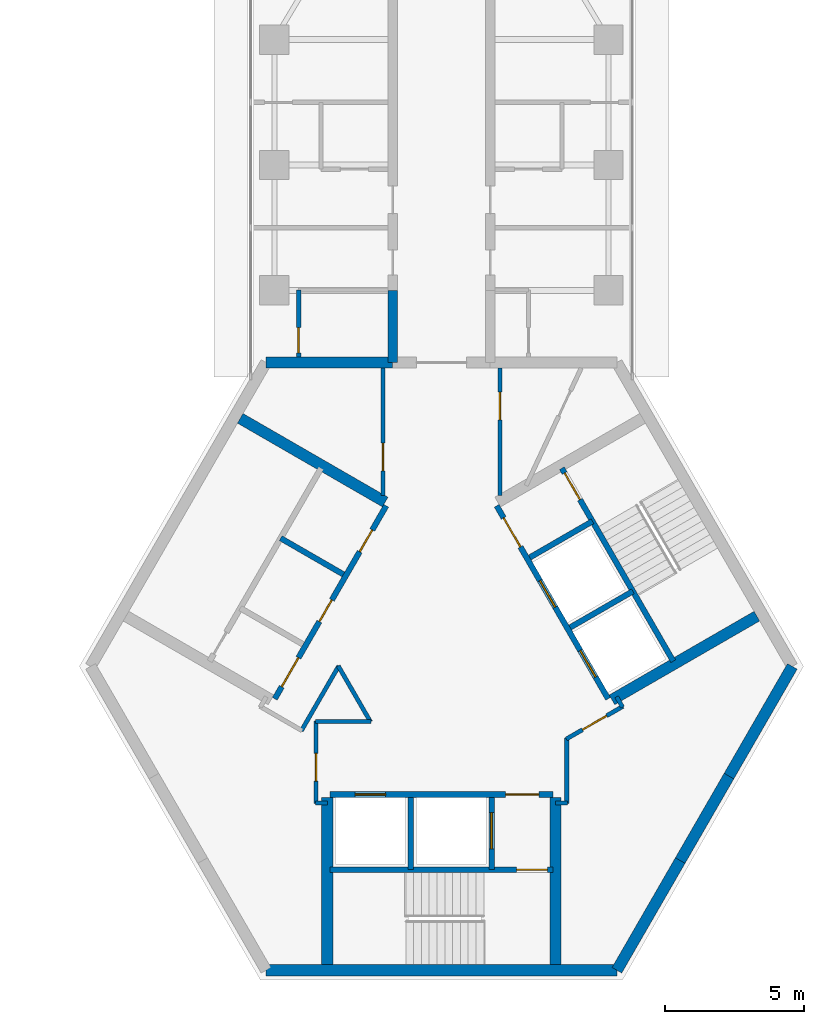
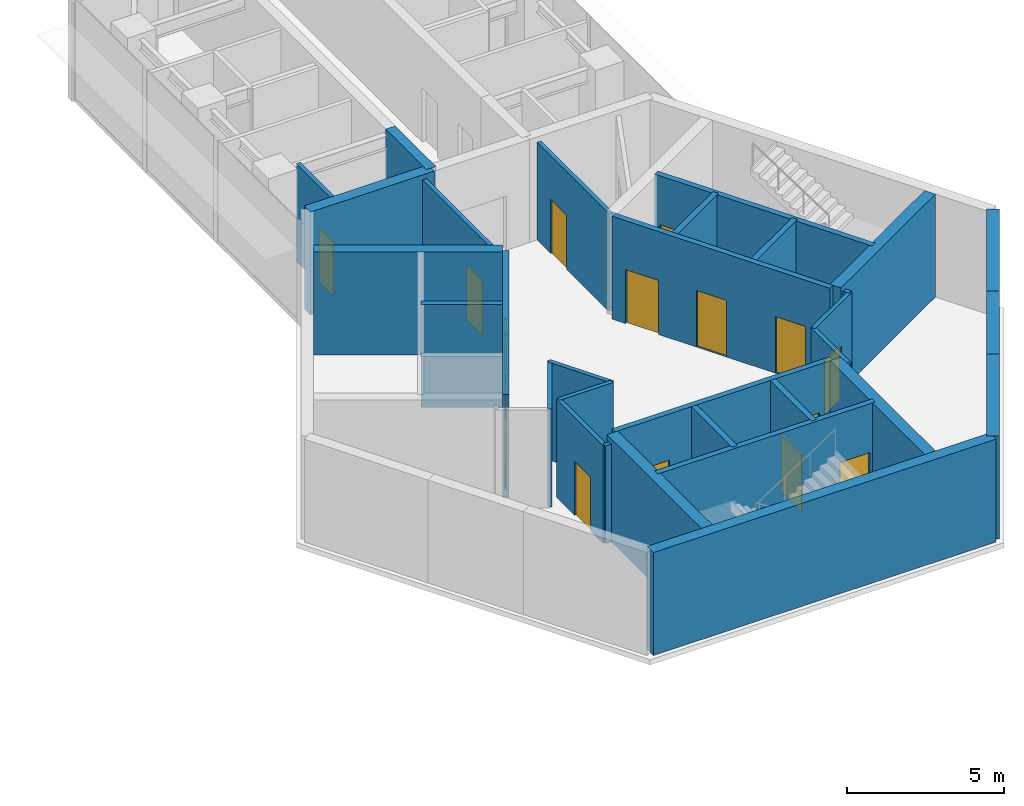
# One storey, part 8 of 11: 32 walls, 16 doors, 16 openings.
"""IFC4 building model written with IfcOpenShell, lengths in metres."""

from ifc_helpers import new_model, si_unit, direction, frame, frame_2d, origin, place, context, subcontext, project, spatial, rectangle, extrude, material, layer, layer_set, type_object, element, fill, save


model = new_model("IFC4")

# Units and contexts
model_context = context("Model", 3, precision=1e-05, world=origin(), true_north=direction((0.0, 1.0)))
body_context = subcontext(model_context, "Body", "Model", "MODEL_VIEW")
ifc_project = project(units=[si_unit("LENGTHUNIT", "METRE"), si_unit("AREAUNIT", "SQUARE_METRE"), si_unit("VOLUMEUNIT", "CUBIC_METRE"), si_unit("PLANEANGLEUNIT", "RADIAN"), si_unit("MASSUNIT", "GRAM", prefix="KILO")], contexts=[model_context])

# Site, building, storey
site_placement = place(None, origin())
site = spatial("IfcSite", under=ifc_project, at=site_placement, CompositionType="ELEMENT")
building_placement = place(site_placement, origin())
building = spatial("IfcBuilding", under=site, at=building_placement, Name="Upepo Twin Towers", CompositionType="ELEMENT")
storey_placement = place(building_placement, frame((0.0, 0.0, 263.5)))
storey = spatial("IfcBuildingStorey", under=building, at=storey_placement, Name="L64", CompositionType="ELEMENT", Elevation=263.5)

# Walls
ifc_material_1 = material(Name="Concrete C60/75", Category="concrete")
ifc_layer_1 = layer(ifc_material_1, 0.35009765625)
ifc_layer_set_1 = layer_set([ifc_layer_1], Name="Concrete C60/75")
wall_type_1 = type_object("IfcWallType", Name="Buttress wall 350 RC", PredefinedType="SHEAR", material=ifc_layer_set_1)
wall_1_placement = place(storey_placement, frame((56.75, -7.091552734375, 0.0), z_axis=(0.0, 0.0, 1.0), x_axis=(0.0, 1.0, 0.0)))
element("IfcWall", 1, at=wall_1_placement, inside=storey, type_object=wall_type_1, Name="T2 wing A buttress wall L", PredefinedType="SHEAR", context=body_context, shape_type="SweptSolid", body=[
    extrude(rectangle(XDim=2.591552734375, YDim=0.35009765625, at=frame_2d((1.2958984375, 0.0))), origin(), (0.0, 0.0, 1.0), 4.0),
])
ifc_material_2 = material(Name="Concrete C60/75", Category="concrete")
ifc_layer_2 = layer(ifc_material_2, 0.39990234375)
ifc_layer_set_2 = layer_set([ifc_layer_2], Name="Concrete C60/75")
wall_type_2 = type_object("IfcWallType", Name="Core wall 400 RC", PredefinedType="SHEAR", material=ifc_layer_set_2)
wall_2_placement = place(storey_placement, frame((56.75, -7.091552734375, 0.0), z_axis=(0.0, 0.0, 1.0), x_axis=(-1.0, 0.0, 0.0)))
element("IfcWall", 2, at=wall_2_placement, inside=storey, type_object=wall_type_2, Name="T2 core wall 000 L", PredefinedType="SHEAR", context=body_context, shape_type="SweptSolid", body=[
    extrude(rectangle(XDim=4.5478515625, YDim=0.39990234375, at=frame_2d((2.27392578125, 0.0))), origin(), (0.0, 0.0, 1.0), 4.0),
])
wall_3_placement = place(storey_placement, frame((52.2021484375, -28.908447265625, 0.0), z_axis=(0.0, 0.0, 1.0), x_axis=(1.0, 0.0, 0.0)))
element("IfcWall", 3, at=wall_3_placement, inside=storey, type_object=wall_type_2, Name="T2 core wall 180", PredefinedType="SHEAR", context=body_context, shape_type="SweptSolid", body=[
    extrude(rectangle(XDim=12.595703125, YDim=0.39990234375, at=frame_2d((6.2978515625, 0.0))), origin(), (0.0, 0.0, 1.0), 4.0),
])
wall_4_placement = place(storey_placement, frame((64.7978515625, -28.908447265625, 0.0), z_axis=(0.0, 0.0, 1.0), x_axis=(0.499984222037, 0.866034513004, 0.0)))
element("IfcWall", 4, at=wall_4_placement, inside=storey, type_object=wall_type_2, Name="T2 core wall 240 R", PredefinedType="SHEAR", context=body_context, shape_type="SweptSolid", body=[
    extrude(rectangle(XDim=4.548095703125, YDim=0.39990234375, at=frame_2d((2.27392578125, 0.0))), origin(), (0.0, 0.0, 1.0), 4.0),
])
wall_5_placement = place(storey_placement, frame((67.07177734375, -24.9697265625, 0.0), z_axis=(0.0, 0.0, 1.0), x_axis=(0.500010275428, 0.866019471182, 0.0)))
element("IfcWall", 5, at=wall_5_placement, inside=storey, type_object=wall_type_2, Name="T2 core wall 240", PredefinedType="SHEAR", context=body_context, shape_type="SweptSolid", body=[
    extrude(rectangle(XDim=3.5, YDim=0.39990234375, at=frame_2d((1.75, 0.0))), origin(), (0.0, 0.0, 1.0), 4.0),
])
wall_6_placement = place(storey_placement, frame((68.82177734375, -21.938720703125, 0.0), z_axis=(0.0, 0.0, 1.0), x_axis=(0.500024481964, 0.866011268655, 0.0)))
element("IfcWall", 6, at=wall_6_placement, inside=storey, type_object=wall_type_2, Name="T2 core wall 240 L", PredefinedType="SHEAR", context=body_context, shape_type="SweptSolid", body=[
    extrude(rectangle(XDim=4.548095703125, YDim=0.39990234375, at=frame_2d((2.27392578125, 0.0))), origin(), (0.0, 0.0, 1.0), 4.0),
])

# Wall, openings, doors
ifc_material_3 = material(Name="Concrete C40/50", Category="concrete")
ifc_layer_3 = layer(ifc_material_3, 0.199951171875)
ifc_layer_set_3 = layer_set([ifc_layer_3], Name="Concrete C40/50")
wall_type_3 = type_object("IfcWallType", Name="Shaft wall 200 RC", PredefinedType="SHEAR", material=ifc_layer_set_3)
wall_7_placement = place(storey_placement, frame((56.516357421875, -12.23583984375, 0.0), z_axis=(0.0, 0.0, 1.0), x_axis=(-0.49999894854, -0.866026010844, 0.0)))
wall_7 = element("IfcWall", 7, at=wall_7_placement, inside=storey, type_object=wall_type_3, Name="T2 core W60 front wall", PredefinedType="SHEAR", context=body_context, shape_type="SweptSolid", body=[
    extrude(rectangle(XDim=8.0, YDim=0.199951171875, at=frame_2d((4.0, 0.0))), origin(), (0.0, 0.0, 1.0), 4.0),
])
opening_1_placement = place(wall_7_placement, frame((6.300048828125, 0.0, 0.0)))
opening_1 = element("IfcOpeningElement", 8, at=opening_1_placement, cuts=wall_7, Name="Opening D4", PredefinedType="OPENING", context=body_context, shape_type="SweptSolid", body=[
    extrude(rectangle(XDim=1.199951171875, YDim=2.10009765625, at=frame_2d((0.60009765625, 1.050048828125))), frame((0.0, 0.10986328125, 0.0), z_axis=(0.0, -1.0, 0.0), x_axis=(1.0, 0.0, 0.0)), (0.0, 0.0, 1.0), 0.219970703125),
])
opening_2_placement = place(wall_7_placement, frame((1.0, 0.0, 0.0)))
opening_2 = element("IfcOpeningElement", 9, at=opening_2_placement, cuts=wall_7, Name="Opening D9", PredefinedType="OPENING", context=body_context, shape_type="SweptSolid", body=[
    extrude(rectangle(XDim=0.89990234375, YDim=2.10009765625, at=frame_2d((0.449951171875, 1.050048828125))), frame((0.0, 0.10986328125, 0.0), z_axis=(0.0, -1.0, 0.0), x_axis=(1.0, 0.0, 0.0)), (0.0, 0.0, 1.0), 0.219970703125),
])
opening_3_placement = place(wall_7_placement, frame((3.89990234375, 0.0, 0.0)))
opening_3 = element("IfcOpeningElement", 10, at=opening_3_placement, cuts=wall_7, Name="Opening D9", PredefinedType="OPENING", context=body_context, shape_type="SweptSolid", body=[
    extrude(rectangle(XDim=0.89990234375, YDim=2.10009765625, at=frame_2d((0.449951171875, 1.050048828125))), frame((0.0, 0.10986328125, 0.0), z_axis=(0.0, -1.0, 0.0), x_axis=(1.0, 0.0, 0.0)), (0.0, 0.0, 1.0), 0.219970703125),
])
ifc_material_4 = material(Name="Timber doorset", Category="wood")
door_type_1 = type_object("IfcDoorType", Name="Lobby door 1200 FD60", OperationType="SINGLE_SWING_LEFT", PredefinedType="DOOR", material=ifc_material_4)
door_1_placement = place(opening_1_placement, origin())
door_1 = element("IfcDoor", 11, at=door_1_placement, inside=storey, type_object=door_type_1, Name="T2 L64 W60 lobby door", OperationType="SINGLE_SWING_RIGHT", OverallHeight=2.10009765625, OverallWidth=1.199951171875, PredefinedType="DOOR", context=body_context, shape_type="SweptSolid", body=[
    extrude(rectangle(XDim=1.199951171875, YDim=2.10009765625, at=frame_2d((0.60009765625, 1.050048828125))), frame((0.0, 0.02490234375, 0.0), z_axis=(0.0, -1.0, 0.0), x_axis=(1.0, 0.0, 0.0)), (0.0, 0.0, 1.0), 0.050048828125),
])
fill(opening_1, door_1)
ifc_material_5 = material(Name="Timber doorset", Category="wood")
door_type_2 = type_object("IfcDoorType", Name="Riser door 900 FD60", OperationType="SINGLE_SWING_LEFT", PredefinedType="DOOR", material=ifc_material_5)
door_2_placement = place(opening_2_placement, origin())
door_2 = element("IfcDoor", 12, at=door_2_placement, inside=storey, type_object=door_type_2, Name="T2 L64 it and communications room door", OperationType="SINGLE_SWING_LEFT", OverallHeight=2.10009765625, OverallWidth=0.89990234375, PredefinedType="DOOR", context=body_context, shape_type="SweptSolid", body=[
    extrude(rectangle(XDim=0.89990234375, YDim=2.10009765625, at=frame_2d((0.449951171875, 1.050048828125))), frame((0.0, 0.02490234375, 0.0), z_axis=(0.0, -1.0, 0.0), x_axis=(1.0, 0.0, 0.0)), (0.0, 0.0, 1.0), 0.050048828125),
])
fill(opening_2, door_2)
door_3_placement = place(opening_3_placement, origin())
door_3 = element("IfcDoor", 13, at=door_3_placement, inside=storey, type_object=door_type_2, Name="T2 L64 furniture store door", OperationType="SINGLE_SWING_RIGHT", OverallHeight=2.10009765625, OverallWidth=0.89990234375, PredefinedType="DOOR", context=body_context, shape_type="SweptSolid", body=[
    extrude(rectangle(XDim=0.89990234375, YDim=2.10009765625, at=frame_2d((0.449951171875, 1.050048828125))), frame((0.0, 0.02490234375, 0.0), z_axis=(0.0, -1.0, 0.0), x_axis=(1.0, 0.0, 0.0)), (0.0, 0.0, 1.0), 0.050048828125),
])
fill(opening_3, door_3)

# Wall
wall_8_placement = place(storey_placement, frame((54.979736328125, -14.697265625, 0.0), z_axis=(0.0, 0.0, 1.0), x_axis=(-0.866062058628, 0.499936506574, 0.0)))
element("IfcWall", 14, at=wall_8_placement, inside=storey, type_object=wall_type_3, Name="T2 core W60 shaft divider", PredefinedType="SHEAR", context=body_context, shape_type="SweptSolid", body=[
    extrude(rectangle(XDim=2.599853515625, YDim=0.199951171875, at=frame_2d((1.2998046875, 0.0))), origin(), (0.0, 0.0, 1.0), 4.0),
])

# Wall, openings, doors
wall_9_placement = place(storey_placement, frame((54.5, -22.60009765625, 0.0), z_axis=(0.0, 0.0, 1.0), x_axis=(1.0, 0.0, 0.0)))
wall_9 = element("IfcWall", 15, at=wall_9_placement, inside=storey, type_object=wall_type_3, Name="T2 core W180 front wall", PredefinedType="SHEAR", context=body_context, shape_type="SweptSolid", body=[
    extrude(rectangle(XDim=8.0, YDim=0.199951171875, at=frame_2d((4.0, 0.0))), origin(), (0.0, 0.0, 1.0), 4.0),
])
opening_4_placement = place(wall_9_placement, frame((6.300048828125, 0.0, 0.0)))
opening_4 = element("IfcOpeningElement", 16, at=opening_4_placement, cuts=wall_9, Name="Opening D4", PredefinedType="OPENING", context=body_context, shape_type="SweptSolid", body=[
    extrude(rectangle(XDim=1.199951171875, YDim=2.10009765625, at=frame_2d((0.60009765625, 1.050048828125))), frame((0.0, 0.10986328125, 0.0), z_axis=(0.0, -1.0, 0.0), x_axis=(1.0, 0.0, 0.0)), (0.0, 0.0, 1.0), 0.219970703125),
])
opening_5_placement = place(wall_9_placement, frame((0.89990234375, 0.0, 0.0)))
opening_5 = element("IfcOpeningElement", 17, at=opening_5_placement, cuts=wall_9, Name="Opening LD1", PredefinedType="OPENING", context=body_context, shape_type="SweptSolid", body=[
    extrude(rectangle(XDim=1.10009765625, YDim=2.199951171875, at=frame_2d((0.550048828125, 1.10009765625))), frame((0.0, 0.10986328125, 0.0), z_axis=(0.0, -1.0, 0.0), x_axis=(1.0, 0.0, 0.0)), (0.0, 0.0, 1.0), 0.219970703125),
])
ifc_material_6 = material(Name="Steel doorset", Category="steel")
door_type_3 = type_object("IfcDoorType", Name="Lift landing door 1100", OperationType="DOUBLE_DOOR_SLIDING", PredefinedType="DOOR", material=ifc_material_6)
door_4_placement = place(opening_5_placement, origin())
door_4 = element("IfcDoor", 18, at=door_4_placement, inside=storey, type_object=door_type_3, Name="T2 L64 lift SV1 landing door", OperationType="DOUBLE_DOOR_SLIDING", OverallHeight=2.199951171875, OverallWidth=1.10009765625, PredefinedType="DOOR", context=body_context, shape_type="SweptSolid", body=[
    extrude(rectangle(XDim=1.10009765625, YDim=2.199951171875, at=frame_2d((0.550048828125, 1.10009765625))), frame((0.0, 0.02490234375, 0.0), z_axis=(0.0, -1.0, 0.0), x_axis=(1.0, 0.0, 0.0)), (0.0, 0.0, 1.0), 0.050048828125),
])
fill(opening_5, door_4)
door_5_placement = place(opening_4_placement, origin())
door_5 = element("IfcDoor", 19, at=door_5_placement, inside=storey, type_object=door_type_1, Name="T2 L64 W180 lobby door", OperationType="SINGLE_SWING_RIGHT", OverallHeight=2.10009765625, OverallWidth=1.199951171875, PredefinedType="DOOR", context=body_context, shape_type="SweptSolid", body=[
    extrude(rectangle(XDim=1.199951171875, YDim=2.10009765625, at=frame_2d((0.60009765625, 1.050048828125))), frame((0.0, 0.02490234375, 0.0), z_axis=(0.0, -1.0, 0.0), x_axis=(1.0, 0.0, 0.0)), (0.0, 0.0, 1.0), 0.050048828125),
])
fill(opening_4, door_5)

# Wall
wall_10_placement = place(storey_placement, frame((57.39990234375, -22.699951171875, 0.0), z_axis=(0.0, 0.0, 1.0), x_axis=(0.0, -1.0, 0.0)))
element("IfcWall", 20, at=wall_10_placement, inside=storey, type_object=wall_type_3, Name="T2 core W180 shaft divider", PredefinedType="SHEAR", context=body_context, shape_type="SweptSolid", body=[
    extrude(rectangle(XDim=2.60009765625, YDim=0.199951171875, at=frame_2d((1.300048828125, 0.0))), origin(), (0.0, 0.0, 1.0), 4.0),
])

# Wall, opening, door
wall_11_placement = place(storey_placement, frame((60.300048828125, -22.699951171875, 0.0), z_axis=(0.0, 0.0, 1.0), x_axis=(0.0, -1.0, 0.0)))
wall_11 = element("IfcWall", 21, at=wall_11_placement, inside=storey, type_object=wall_type_3, Name="T2 core W180 lobby wall", PredefinedType="SHEAR", context=body_context, shape_type="SweptSolid", body=[
    extrude(rectangle(XDim=2.60009765625, YDim=0.199951171875, at=frame_2d((1.300048828125, 0.0))), origin(), (0.0, 0.0, 1.0), 4.0),
])
opening_6_placement = place(wall_11_placement, frame((0.550048828125, 0.0, 0.0)))
opening_6 = element("IfcOpeningElement", 22, at=opening_6_placement, cuts=wall_11, Name="Opening LD2", PredefinedType="OPENING", context=body_context, shape_type="SweptSolid", body=[
    extrude(rectangle(XDim=1.300048828125, YDim=2.199951171875, at=frame_2d((0.64990234375, 1.10009765625))), frame((0.0, 0.10986328125, 0.0), z_axis=(0.0, -1.0, 0.0), x_axis=(1.0, 0.0, 0.0)), (0.0, 0.0, 1.0), 0.219970703125),
])
ifc_material_7 = material(Name="Steel doorset", Category="steel")
door_type_4 = type_object("IfcDoorType", Name="Firefighting lift landing door 1300", OperationType="DOUBLE_DOOR_SLIDING", PredefinedType="DOOR", material=ifc_material_7)
door_6_placement = place(opening_6_placement, origin())
door_6 = element("IfcDoor", 23, at=door_6_placement, inside=storey, type_object=door_type_4, Name="T2 L64 firefighting lift landing door", OperationType="DOUBLE_DOOR_SLIDING", OverallHeight=2.199951171875, OverallWidth=1.300048828125, PredefinedType="DOOR", context=body_context, shape_type="SweptSolid", body=[
    extrude(rectangle(XDim=1.300048828125, YDim=2.199951171875, at=frame_2d((0.64990234375, 1.10009765625))), frame((0.0, 0.02490234375, 0.0), z_axis=(0.0, -1.0, 0.0), x_axis=(1.0, 0.0, 0.0)), (0.0, 0.0, 1.0), 0.050048828125),
])
fill(opening_6, door_6)

wall_12_placement = place(storey_placement, frame((54.5, -25.300048828125, 0.0), z_axis=(0.0, 0.0, 1.0), x_axis=(1.0, 0.0, 0.0)))
wall_12 = element("IfcWall", 24, at=wall_12_placement, inside=storey, type_object=wall_type_3, Name="T2 core W180 stair wall", PredefinedType="SHEAR", context=body_context, shape_type="SweptSolid", body=[
    extrude(rectangle(XDim=8.0, YDim=0.199951171875, at=frame_2d((4.0, 0.0))), origin(), (0.0, 0.0, 1.0), 4.0),
])
opening_7_placement = place(wall_12_placement, frame((6.699951171875, 0.0, 0.0)))
opening_7 = element("IfcOpeningElement", 25, at=opening_7_placement, cuts=wall_12, Name="Opening D3", PredefinedType="OPENING", context=body_context, shape_type="SweptSolid", body=[
    extrude(rectangle(XDim=1.10009765625, YDim=2.10009765625, at=frame_2d((0.550048828125, 1.050048828125))), frame((0.0, 0.10986328125, 0.0), z_axis=(0.0, -1.0, 0.0), x_axis=(1.0, 0.0, 0.0)), (0.0, 0.0, 1.0), 0.219970703125),
])
ifc_material_8 = material(Name="Timber doorset", Category="wood")
door_type_5 = type_object("IfcDoorType", Name="Stair door 1100 FD60", OperationType="SINGLE_SWING_LEFT", PredefinedType="DOOR", material=ifc_material_8)
door_7_placement = place(opening_7_placement, origin())
door_7 = element("IfcDoor", 26, at=door_7_placement, inside=storey, type_object=door_type_5, Name="T2 L64 stair door", OperationType="SINGLE_SWING_RIGHT", OverallHeight=2.10009765625, OverallWidth=1.10009765625, PredefinedType="DOOR", context=body_context, shape_type="SweptSolid", body=[
    extrude(rectangle(XDim=1.10009765625, YDim=2.10009765625, at=frame_2d((0.550048828125, 1.050048828125))), frame((0.0, 0.02490234375, 0.0), z_axis=(0.0, -1.0, 0.0), x_axis=(1.0, 0.0, 0.0)), (0.0, 0.0, 1.0), 0.050048828125),
])
fill(opening_7, door_7)

# Wall, openings, doors
wall_13_placement = place(storey_placement, frame((64.483642578125, -19.1640625, 0.0), z_axis=(0.0, 0.0, 1.0), x_axis=(-0.49999894854, 0.866026010844, 0.0)))
wall_13 = element("IfcWall", 27, at=wall_13_placement, inside=storey, type_object=wall_type_3, Name="T2 core W300 front wall", PredefinedType="SHEAR", context=body_context, shape_type="SweptSolid", body=[
    extrude(rectangle(XDim=8.0, YDim=0.199951171875, at=frame_2d((4.0, 0.0))), origin(), (0.0, 0.0, 1.0), 4.0),
])
opening_8_placement = place(wall_13_placement, frame((6.300048828125, 0.0, 0.0)))
opening_8 = element("IfcOpeningElement", 28, at=opening_8_placement, cuts=wall_13, Name="Opening D4", PredefinedType="OPENING", context=body_context, shape_type="SweptSolid", body=[
    extrude(rectangle(XDim=1.199951171875, YDim=2.10009765625, at=frame_2d((0.60009765625, 1.050048828125))), frame((0.0, 0.10986328125, 0.0), z_axis=(0.0, -1.0, 0.0), x_axis=(1.0, 0.0, 0.0)), (0.0, 0.0, 1.0), 0.219970703125),
])
opening_9_placement = place(wall_13_placement, frame((0.89990234375, 0.0, 0.0)))
opening_9 = element("IfcOpeningElement", 29, at=opening_9_placement, cuts=wall_13, Name="Opening LD1", PredefinedType="OPENING", context=body_context, shape_type="SweptSolid", body=[
    extrude(rectangle(XDim=1.10009765625, YDim=2.199951171875, at=frame_2d((0.550048828125, 1.10009765625))), frame((0.0, 0.10986328125, 0.0), z_axis=(0.0, -1.0, 0.0), x_axis=(1.0, 0.0, 0.0)), (0.0, 0.0, 1.0), 0.219970703125),
])
opening_10_placement = place(wall_13_placement, frame((3.800048828125, 0.0, 0.0)))
opening_10 = element("IfcOpeningElement", 30, at=opening_10_placement, cuts=wall_13, Name="Opening LD1", PredefinedType="OPENING", context=body_context, shape_type="SweptSolid", body=[
    extrude(rectangle(XDim=1.10009765625, YDim=2.199951171875, at=frame_2d((0.550048828125, 1.10009765625))), frame((0.0, 0.10986328125, 0.0), z_axis=(0.0, -1.0, 0.0), x_axis=(1.0, 0.0, 0.0)), (0.0, 0.0, 1.0), 0.219970703125),
])
door_8_placement = place(opening_9_placement, origin())
door_8 = element("IfcDoor", 31, at=door_8_placement, inside=storey, type_object=door_type_3, Name="T2 L64 lift TL1 landing door", OperationType="DOUBLE_DOOR_SLIDING", OverallHeight=2.199951171875, OverallWidth=1.10009765625, PredefinedType="DOOR", context=body_context, shape_type="SweptSolid", body=[
    extrude(rectangle(XDim=1.10009765625, YDim=2.199951171875, at=frame_2d((0.550048828125, 1.10009765625))), frame((0.0, 0.02490234375, 0.0), z_axis=(0.0, -1.0, 0.0), x_axis=(1.0, 0.0, 0.0)), (0.0, 0.0, 1.0), 0.050048828125),
])
fill(opening_9, door_8)
door_9_placement = place(opening_10_placement, origin())
door_9 = element("IfcDoor", 32, at=door_9_placement, inside=storey, type_object=door_type_3, Name="T2 L64 lift TL2 landing door", OperationType="DOUBLE_DOOR_SLIDING", OverallHeight=2.199951171875, OverallWidth=1.10009765625, PredefinedType="DOOR", context=body_context, shape_type="SweptSolid", body=[
    extrude(rectangle(XDim=1.10009765625, YDim=2.199951171875, at=frame_2d((0.550048828125, 1.10009765625))), frame((0.0, 0.02490234375, 0.0), z_axis=(0.0, -1.0, 0.0), x_axis=(1.0, 0.0, 0.0)), (0.0, 0.0, 1.0), 0.050048828125),
])
fill(opening_10, door_9)
door_10_placement = place(opening_8_placement, origin())
door_10 = element("IfcDoor", 33, at=door_10_placement, inside=storey, type_object=door_type_1, Name="T2 L64 W300 lobby door", OperationType="SINGLE_SWING_RIGHT", OverallHeight=2.10009765625, OverallWidth=1.199951171875, PredefinedType="DOOR", context=body_context, shape_type="SweptSolid", body=[
    extrude(rectangle(XDim=1.199951171875, YDim=2.10009765625, at=frame_2d((0.60009765625, 1.050048828125))), frame((0.0, 0.02490234375, 0.0), z_axis=(0.0, -1.0, 0.0), x_axis=(1.0, 0.0, 0.0)), (0.0, 0.0, 1.0), 0.050048828125),
])
fill(opening_8, door_10)

# Walls
wall_14_placement = place(storey_placement, frame((63.120361328125, -16.6025390625, 0.0), z_axis=(0.0, 0.0, 1.0), x_axis=(0.866062058628, 0.499936506574, 0.0)))
element("IfcWall", 34, at=wall_14_placement, inside=storey, type_object=wall_type_3, Name="T2 core W300 shaft divider", PredefinedType="SHEAR", context=body_context, shape_type="SweptSolid", body=[
    extrude(rectangle(XDim=2.599853515625, YDim=0.199951171875, at=frame_2d((1.2998046875, 0.0))), origin(), (0.0, 0.0, 1.0), 4.0),
])
wall_15_placement = place(storey_placement, frame((61.67041015625, -14.091064453125, 0.0), z_axis=(0.0, 0.0, 1.0), x_axis=(0.86603858612, 0.49997716683, 0.0)))
element("IfcWall", 35, at=wall_15_placement, inside=storey, type_object=wall_type_3, Name="T2 core W300 lobby wall", PredefinedType="SHEAR", context=body_context, shape_type="SweptSolid", body=[
    extrude(rectangle(XDim=2.599609375, YDim=0.199951171875, at=frame_2d((1.2998046875, 0.0))), origin(), (0.0, 0.0, 1.0), 4.0),
])

# Wall, opening, door
wall_16_placement = place(storey_placement, frame((66.822021484375, -17.814208984375, 0.0), z_axis=(0.0, 0.0, 1.0), x_axis=(-0.49999894854, 0.866026010844, 0.0)))
wall_16 = element("IfcWall", 36, at=wall_16_placement, inside=storey, type_object=wall_type_3, Name="T2 core W300 stair wall", PredefinedType="SHEAR", context=body_context, shape_type="SweptSolid", body=[
    extrude(rectangle(XDim=8.0, YDim=0.199951171875, at=frame_2d((4.0, 0.0))), origin(), (0.0, 0.0, 1.0), 4.0),
])
opening_11_placement = place(wall_16_placement, frame((6.699951171875, 0.0, 0.0)))
opening_11 = element("IfcOpeningElement", 37, at=opening_11_placement, cuts=wall_16, Name="Opening D3", PredefinedType="OPENING", context=body_context, shape_type="SweptSolid", body=[
    extrude(rectangle(XDim=1.10009765625, YDim=2.10009765625, at=frame_2d((0.550048828125, 1.050048828125))), frame((0.0, 0.10986328125, 0.0), z_axis=(0.0, -1.0, 0.0), x_axis=(1.0, 0.0, 0.0)), (0.0, 0.0, 1.0), 0.219970703125),
])
door_11_placement = place(opening_11_placement, origin())
door_11 = element("IfcDoor", 38, at=door_11_placement, inside=storey, type_object=door_type_5, Name="T2 L64 stair door", OperationType="SINGLE_SWING_RIGHT", OverallHeight=2.10009765625, OverallWidth=1.10009765625, PredefinedType="DOOR", context=body_context, shape_type="SweptSolid", body=[
    extrude(rectangle(XDim=1.10009765625, YDim=2.10009765625, at=frame_2d((0.550048828125, 1.050048828125))), frame((0.0, 0.02490234375, 0.0), z_axis=(0.0, -1.0, 0.0), x_axis=(1.0, 0.0, 0.0)), (0.0, 0.0, 1.0), 0.050048828125),
])
fill(opening_11, door_11)

# Walls
ifc_material_9 = material(Name="Concrete C40/50", Category="concrete")
ifc_layer_4 = layer(ifc_material_9, 0.39990234375)
ifc_layer_set_4 = layer_set([ifc_layer_4], Name="Concrete C40/50")
wall_type_4 = type_object("IfcWallType", Name="Shaft wall 400 RC", PredefinedType="SHEAR", material=ifc_layer_set_4)
for number, where, z_axis, x_axis, name in (
    (39, (56.479736328125, -12.099365234375, 0.0), (0.0, 0.0, 1.0), (-0.866026570101, 0.499997979876, 0.0), "T2 core W60 side wall S"),
    (40, (62.60009765625, -22.699951171875, 0.0), (0.0, 0.0, 1.0), (0.0, -1.0, 0.0), "T2 core W180 side wall N"),
    (41, (54.39990234375, -22.699951171875, 0.0), (0.0, 0.0, 1.0), (0.0, -1.0, 0.0), "T2 core W180 side wall S"),
    (42, (64.620361328125, -19.20068359375, 0.0), (0.0, 0.0, 1.0), (0.866026570101, 0.499997979876, 0.0), "T2 core W300 side wall S"),
):
    element("IfcWall", number, at=place(storey_placement, frame(where, z_axis=z_axis, x_axis=x_axis)), inside=storey, type_object=wall_type_4, Name=name, PredefinedType="SHEAR", context=body_context, shape_type="SweptSolid", body=[
        extrude(rectangle(XDim=6.00830078125, YDim=0.39990234375, at=frame_2d((3.004150390625, 0.0))), origin(), (0.0, 0.0, 1.0), 4.0),
    ])

# Wall, opening, door
ifc_material_10 = material(Name="Gypsum board on steel studs", Category="steel")
ifc_layer_5 = layer(ifc_material_10, 0.14990234375)
ifc_layer_set_5 = layer_set([ifc_layer_5], Name="Teaching partition 150 acoustic")
wall_type_5 = type_object("IfcWallType", Name="Teaching partition 150 acoustic", PredefinedType="PARTITIONING", material=ifc_layer_set_5)
wall_17_placement = place(storey_placement, frame((53.375, -6.89208984375, 0.0), z_axis=(0.0, 0.0, 1.0), x_axis=(0.0, 1.0, 0.0)))
wall_17 = element("IfcWall", 43, at=wall_17_placement, inside=storey, type_object=wall_type_5, Name="T2 WC bay partition AL at 11.11", PredefinedType="PARTITIONING", context=body_context, shape_type="SweptSolid", body=[
    extrude(rectangle(XDim=2.400146484375, YDim=0.14990234375, at=frame_2d((1.2001953125, 0.0))), origin(), (0.0, 0.0, 1.0), 3.800048828125),
])
opening_12_placement = place(wall_17_placement, frame((0.14990234375, 0.0, 0.0)))
opening_12 = element("IfcOpeningElement", 44, at=opening_12_placement, cuts=wall_17, Name="Opening D14", PredefinedType="OPENING", context=body_context, shape_type="SweptSolid", body=[
    extrude(rectangle(XDim=0.89990234375, YDim=2.10009765625, at=frame_2d((0.449951171875, 1.050048828125))), frame((0.0, 0.0849609375, 0.0), z_axis=(0.0, -1.0, 0.0), x_axis=(1.0, 0.0, 0.0)), (0.0, 0.0, 1.0), 0.169921875),
])
ifc_material_11 = material(Name="Timber doorset", Category="wood")
door_type_6 = type_object("IfcDoorType", Name="Office door 900 FD30", OperationType="SINGLE_SWING_LEFT", PredefinedType="DOOR", material=ifc_material_11)
door_12_placement = place(opening_12_placement, origin())
door_12 = element("IfcDoor", 45, at=door_12_placement, inside=storey, type_object=door_type_6, Name="T2 L64 WC bay inner room door", OperationType="SINGLE_SWING_LEFT", OverallHeight=2.10009765625, OverallWidth=0.89990234375, PredefinedType="DOOR", context=body_context, shape_type="SweptSolid", body=[
    extrude(rectangle(XDim=0.89990234375, YDim=2.10009765625, at=frame_2d((0.449951171875, 1.050048828125))), frame((0.0, 0.02490234375, 0.0), z_axis=(0.0, -1.0, 0.0), x_axis=(1.0, 0.0, 0.0)), (0.0, 0.0, 1.0), 0.050048828125),
])
fill(opening_12, door_12)

# Walls
for number, where, z_axis, x_axis, name in (
    (46, (63.02001953125, -22.89990234375, 0.0), (0.0, 0.0, 1.0), (-1.0, 0.0, 0.0), "T2 core room partition 1"),
    (47, (54.409912109375, -22.89990234375, 0.0), (0.0, 0.0, 1.0), (-1.0, 0.0, 0.0), "T2 core room partition 2"),
):
    element("IfcWall", number, at=place(storey_placement, frame(where, z_axis=z_axis, x_axis=x_axis)), inside=storey, type_object=wall_type_5, Name=name, PredefinedType="PARTITIONING", context=body_context, shape_type="SweptSolid", body=[
        extrude(rectangle(XDim=0.429931640625, YDim=0.14990234375, at=frame_2d((0.21484375, 0.0))), origin(), (0.0, 0.0, 1.0), 3.800048828125),
    ])

# Wall, opening, door
wall_18_placement = place(storey_placement, frame((54.0, -22.919921875, 0.0), z_axis=(0.0, 0.0, 1.0), x_axis=(0.0, 1.0, 0.0)))
wall_18 = element("IfcWall", 48, at=wall_18_placement, inside=storey, type_object=wall_type_5, Name="T2 core room partition 3", PredefinedType="PARTITIONING", context=body_context, shape_type="SweptSolid", body=[
    extrude(rectangle(XDim=2.96484375, YDim=0.14990234375, at=frame_2d((1.482421875, 0.0))), origin(), (0.0, 0.0, 1.0), 3.800048828125),
])
opening_13_placement = place(wall_18_placement, frame((0.800048828125, 0.0, 0.0)))
opening_13 = element("IfcOpeningElement", 49, at=opening_13_placement, cuts=wall_18, Name="Opening D1", PredefinedType="OPENING", context=body_context, shape_type="SweptSolid", body=[
    extrude(rectangle(XDim=1.0, YDim=2.10009765625, at=frame_2d((0.5, 1.050048828125))), frame((0.0, 0.0849609375, 0.0), z_axis=(0.0, -1.0, 0.0), x_axis=(1.0, 0.0, 0.0)), (0.0, 0.0, 1.0), 0.169921875),
])
ifc_material_12 = material(Name="Timber doorset", Category="wood")
door_type_7 = type_object("IfcDoorType", Name="Room door 1000 FD30", OperationType="SINGLE_SWING_LEFT", PredefinedType="DOOR", material=ifc_material_12)
door_13_placement = place(opening_13_placement, origin())
door_13 = element("IfcDoor", 50, at=door_13_placement, inside=storey, type_object=door_type_7, Name="T2 L64 core room door K1", OperationType="SINGLE_SWING_LEFT", OverallHeight=2.10009765625, OverallWidth=1.0, PredefinedType="DOOR", context=body_context, shape_type="SweptSolid", body=[
    extrude(rectangle(XDim=1.0, YDim=2.10009765625, at=frame_2d((0.5, 1.050048828125))), frame((0.0, 0.02490234375, 0.0), z_axis=(0.0, -1.0, 0.0), x_axis=(1.0, 0.0, 0.0)), (0.0, 0.0, 1.0), 0.050048828125),
])
fill(opening_13, door_13)

# Walls
wall_19_placement = place(storey_placement, frame((53.97998046875, -19.97509765625, 0.0), z_axis=(0.0, 0.0, 1.0), x_axis=(1.0, 0.0, 0.0)))
element("IfcWall", 51, at=wall_19_placement, inside=storey, type_object=wall_type_5, Name="T2 core room partition 4", PredefinedType="PARTITIONING", context=body_context, shape_type="SweptSolid", body=[
    extrude(rectangle(XDim=1.985107421875, YDim=0.14990234375, at=frame_2d((0.99267578125, 0.0))), origin(), (0.0, 0.0, 1.0), 3.800048828125),
])
wall_20_placement = place(storey_placement, frame((55.955078125, -19.992431640625, 0.0), z_axis=(0.0, 0.0, 1.0), x_axis=(-0.499941024108, 0.866059450854, 0.0)))
element("IfcWall", 52, at=wall_20_placement, inside=storey, type_object=wall_type_5, Name="T2 core room partition 5", PredefinedType="PARTITIONING", context=body_context, shape_type="SweptSolid", body=[
    extrude(rectangle(XDim=2.320556640625, YDim=0.14990234375, at=frame_2d((1.16015625, 0.0))), origin(), (0.0, 0.0, 1.0), 3.800048828125),
])
wall_21_placement = place(storey_placement, frame((54.81494140625, -17.982666015625, 0.0), z_axis=(0.0, 0.0, 1.0), x_axis=(-0.499981473571, -0.866036099759, 0.0)))
element("IfcWall", 53, at=wall_21_placement, inside=storey, type_object=wall_type_5, Name="T2 core room partition 6", PredefinedType="PARTITIONING", context=body_context, shape_type="SweptSolid", body=[
    extrude(rectangle(XDim=2.6923828125, YDim=0.14990234375, at=frame_2d((1.34619140625, 0.0))), origin(), (0.0, 0.0, 1.0), 3.800048828125),
])

# Wall, opening, door
wall_22_placement = place(storey_placement, frame((56.39990234375, -11.857421875, 0.0), z_axis=(0.0, 0.0, 1.0), x_axis=(0.0, 1.0, 0.0)))
wall_22 = element("IfcWall", 54, at=wall_22_placement, inside=storey, type_object=wall_type_5, Name="T2 core room partition 9", PredefinedType="PARTITIONING", context=body_context, shape_type="SweptSolid", body=[
    extrude(rectangle(XDim=4.57568359375, YDim=0.14990234375, at=frame_2d((2.287841796875, 0.0))), origin(), (0.0, 0.0, 1.0), 3.800048828125),
])
opening_14_placement = place(wall_22_placement, frame((0.87255859375, 0.0, 0.0)))
opening_14 = element("IfcOpeningElement", 55, at=opening_14_placement, cuts=wall_22, Name="Opening D1", PredefinedType="OPENING", context=body_context, shape_type="SweptSolid", body=[
    extrude(rectangle(XDim=1.0, YDim=2.10009765625, at=frame_2d((0.5, 1.050048828125))), frame((0.0, 0.0849609375, 0.0), z_axis=(0.0, -1.0, 0.0), x_axis=(1.0, 0.0, 0.0)), (0.0, 0.0, 1.0), 0.169921875),
])
door_14_placement = place(opening_14_placement, origin())
door_14 = element("IfcDoor", 56, at=door_14_placement, inside=storey, type_object=door_type_7, Name="T2 L64 core room door K5", OperationType="SINGLE_SWING_LEFT", OverallHeight=2.10009765625, OverallWidth=1.0, PredefinedType="DOOR", context=body_context, shape_type="SweptSolid", body=[
    extrude(rectangle(XDim=1.0, YDim=2.10009765625, at=frame_2d((0.5, 1.050048828125))), frame((0.0, 0.02490234375, 0.0), z_axis=(0.0, -1.0, 0.0), x_axis=(1.0, 0.0, 0.0)), (0.0, 0.0, 1.0), 0.050048828125),
])
fill(opening_14, door_14)

wall_23_placement = place(storey_placement, frame((60.60009765625, -7.28173828125, 0.0), z_axis=(0.0, 0.0, 1.0), x_axis=(0.0, -1.0, 0.0)))
wall_23 = element("IfcWall", 57, at=wall_23_placement, inside=storey, type_object=wall_type_5, Name="T2 core room partition 10", PredefinedType="PARTITIONING", context=body_context, shape_type="SweptSolid", body=[
    extrude(rectangle(XDim=4.57568359375, YDim=0.14990234375, at=frame_2d((2.287841796875, 0.0))), origin(), (0.0, 0.0, 1.0), 3.800048828125),
])
opening_15_placement = place(wall_23_placement, frame((0.87255859375, 0.0, 0.0)))
opening_15 = element("IfcOpeningElement", 58, at=opening_15_placement, cuts=wall_23, Name="Opening D1", PredefinedType="OPENING", context=body_context, shape_type="SweptSolid", body=[
    extrude(rectangle(XDim=1.0, YDim=2.10009765625, at=frame_2d((0.5, 1.050048828125))), frame((0.0, 0.0849609375, 0.0), z_axis=(0.0, -1.0, 0.0), x_axis=(1.0, 0.0, 0.0)), (0.0, 0.0, 1.0), 0.169921875),
])
door_15_placement = place(opening_15_placement, origin())
door_15 = element("IfcDoor", 59, at=door_15_placement, inside=storey, type_object=door_type_7, Name="T2 L64 core room door K3", OperationType="SINGLE_SWING_LEFT", OverallHeight=2.10009765625, OverallWidth=1.0, PredefinedType="DOOR", context=body_context, shape_type="SweptSolid", body=[
    extrude(rectangle(XDim=1.0, YDim=2.10009765625, at=frame_2d((0.5, 1.050048828125))), frame((0.0, 0.02490234375, 0.0), z_axis=(0.0, -1.0, 0.0), x_axis=(1.0, 0.0, 0.0)), (0.0, 0.0, 1.0), 0.050048828125),
])
fill(opening_15, door_15)

# Wall
wall_24_placement = place(storey_placement, frame((64.78857421875, -19.092041015625, 0.0), z_axis=(0.0, 0.0, 1.0), x_axis=(0.499804398801, -0.866138304741, 0.0)))
element("IfcWall", 60, at=wall_24_placement, inside=storey, type_object=wall_type_5, Name="T2 core room partition 11", PredefinedType="PARTITIONING", context=body_context, shape_type="SweptSolid", body=[
    extrude(rectangle(XDim=0.429931640625, YDim=0.14990234375, at=frame_2d((0.21484375, 0.0))), origin(), (0.0, 0.0, 1.0), 3.800048828125),
])

# Wall, opening, door
wall_25_placement = place(storey_placement, frame((65.0107421875, -19.43701171875, 0.0), z_axis=(0.0, 0.0, 1.0), x_axis=(-0.865982457891, -0.500074377092, 0.0)))
wall_25 = element("IfcWall", 61, at=wall_25_placement, inside=storey, type_object=wall_type_5, Name="T2 core room partition 12", PredefinedType="PARTITIONING", context=body_context, shape_type="SweptSolid", body=[
    extrude(rectangle(XDim=2.342041015625, YDim=0.14990234375, at=frame_2d((1.1708984375, 0.0))), origin(), (0.0, 0.0, 1.0), 3.800048828125),
])
opening_16_placement = place(wall_25_placement, frame((0.6708984375, 0.0, 0.0)))
opening_16 = element("IfcOpeningElement", 62, at=opening_16_placement, cuts=wall_25, Name="Opening D1", PredefinedType="OPENING", context=body_context, shape_type="SweptSolid", body=[
    extrude(rectangle(XDim=1.0, YDim=2.10009765625, at=frame_2d((0.5, 1.050048828125))), frame((0.0, 0.0849609375, 0.0), z_axis=(0.0, -1.0, 0.0), x_axis=(1.0, 0.0, 0.0)), (0.0, 0.0, 1.0), 0.169921875),
])
door_16_placement = place(opening_16_placement, origin())
door_16 = element("IfcDoor", 63, at=door_16_placement, inside=storey, type_object=door_type_7, Name="T2 L64 core room door K2", OperationType="SINGLE_SWING_RIGHT", OverallHeight=2.10009765625, OverallWidth=1.0, PredefinedType="DOOR", context=body_context, shape_type="SweptSolid", body=[
    extrude(rectangle(XDim=1.0, YDim=2.10009765625, at=frame_2d((0.5, 1.050048828125))), frame((0.0, 0.02490234375, 0.0), z_axis=(0.0, -1.0, 0.0), x_axis=(1.0, 0.0, 0.0)), (0.0, 0.0, 1.0), 0.050048828125),
])
fill(opening_16, door_16)

# Wall
wall_26_placement = place(storey_placement, frame((63.0, -20.578125, 0.0), z_axis=(0.0, 0.0, 1.0), x_axis=(0.0, -1.0, 0.0)))
element("IfcWall", 64, at=wall_26_placement, inside=storey, type_object=wall_type_5, Name="T2 core room partition 13", PredefinedType="PARTITIONING", context=body_context, shape_type="SweptSolid", body=[
    extrude(rectangle(XDim=2.341796875, YDim=0.14990234375, at=frame_2d((1.1708984375, 0.0))), origin(), (0.0, 0.0, 1.0), 3.800048828125),
])

save(model, "model.ifc")
